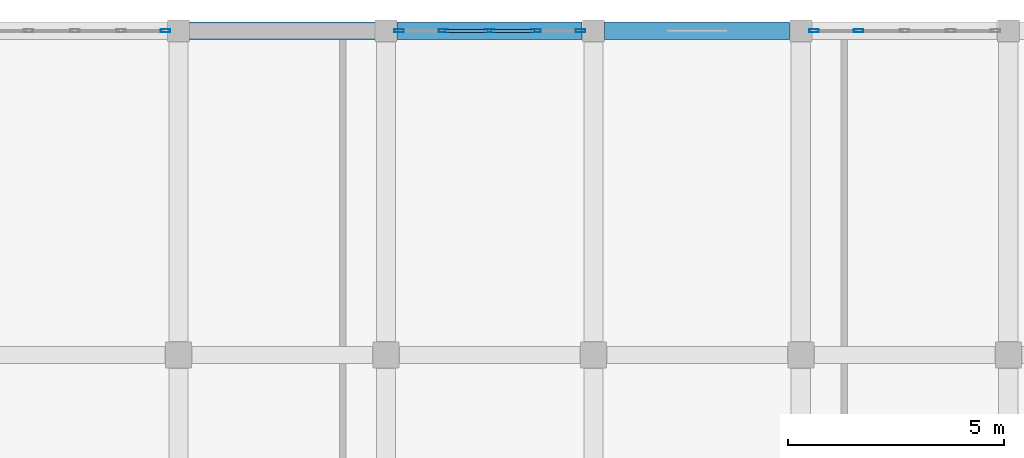
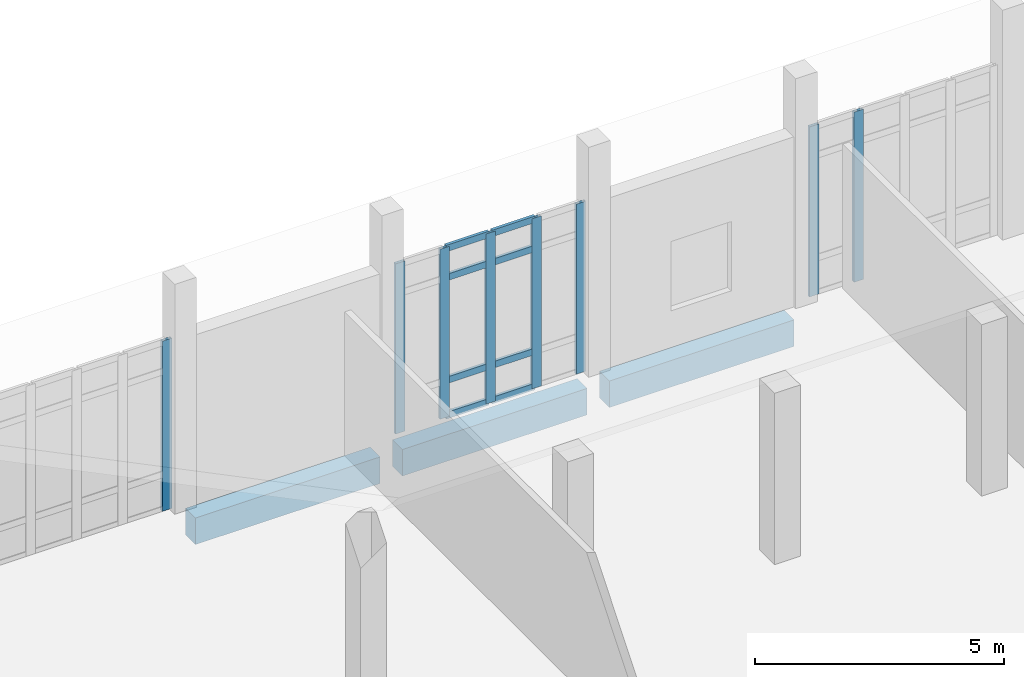
# One storey, part 100 of 164: 16 members, 3 beams, 3 elements without a shape of their own.
"""IFC4 building model written with IfcOpenShell, lengths in metres."""

from ifc_helpers import new_model, si_unit, direction, frame, origin, origin_2d, place, context, subcontext, project, spatial, rectangle, hollow_rectangle, extrude, material, layer, layer_set, material_profile, profile_set, type_object, element, aggregate, save


model = new_model("IFC4")

# Units and contexts
model_context = context("Model", 3, precision=1e-05, world=origin(), true_north=direction((0.0, 1.0)))
body_context = subcontext(model_context, "Body", "Model", "MODEL_VIEW")
ifc_project = project(units=[si_unit("LENGTHUNIT", "METRE"), si_unit("AREAUNIT", "SQUARE_METRE"), si_unit("VOLUMEUNIT", "CUBIC_METRE"), si_unit("PLANEANGLEUNIT", "RADIAN"), si_unit("MASSUNIT", "GRAM", prefix="KILO")], contexts=[model_context])

# Site, building, storey
site_placement = place(None, origin())
site = spatial("IfcSite", under=ifc_project, at=site_placement, CompositionType="ELEMENT")
building_placement = place(site_placement, origin())
building = spatial("IfcBuilding", under=site, at=building_placement, Name="Mawjan Specialist Oncology Clinic", CompositionType="ELEMENT")
storey_placement = place(building_placement, frame((0.0, 0.0, 5.0)))
storey = spatial("IfcBuildingStorey", under=building, at=storey_placement, Name="L01", CompositionType="ELEMENT", Elevation=5.0)

# Curtain wall, member
ifc_material_1 = material(Name="Unitised spectrally selective aluminium curtain wall", Category="aluminium")
ifc_layer = layer(ifc_material_1, 0.179931640625, Name="Unitised spectrally selective aluminium curtain wall", Category="aluminium")
ifc_layer_set = layer_set([ifc_layer], Name="Unitised spectrally selective aluminium curtain wall")
curtain_wall_type = type_object("IfcCurtainWallType", Name="CW-63", PredefinedType="NOTDEFINED", material=ifc_layer_set)
curtain_wall_1_placement = place(storey_placement, origin())
curtain_wall_1 = element("IfcCurtainWall", 1, at=curtain_wall_1_placement, inside=storey, type_object=curtain_wall_type, Name="L01 Unitised Curtain Wall CW-L01-119", PredefinedType="NOTDEFINED")
ifc_material_2 = material(Name="Thermally broken aluminium 6063-T6", Category="aluminium")
ifc_material_profile_1 = material_profile(ifc_material_2, hollow_rectangle(XDim=0.070068359375, YDim=0.219970703125, WallThickness=0.00390625, at=origin_2d()), Name="ALU MULLION 220x70x4", Category="aluminium")
ifc_profile_set_1 = profile_set([ifc_material_profile_1], Name="Thermally broken aluminium 6063-T6")
member_type_1 = type_object("IfcMemberType", Name="CW-M220", PredefinedType="MULLION", material=ifc_profile_set_1)
member_1_placement = place(storey_placement, frame((64.4951171875, 113.300048828125, 0.0), z_axis=(0.0, 0.0, 1.0), x_axis=(0.0, 1.0, 0.0)))
member_1 = element("IfcMember", 2, at=member_1_placement, type_object=member_type_1, Name="CW-63 mullion 5", PredefinedType="MULLION", context=body_context, shape_type="SweptSolid", body=[
    extrude(hollow_rectangle(XDim=0.070068359375, YDim=0.219970703125, WallThickness=0.00390625, at=origin_2d()), origin(), (0.0, 0.0, 1.0), 4.169921875),
])
aggregate(curtain_wall_1, [member_1])

# Curtain wall, members
curtain_wall_2_placement = place(storey_placement, origin())
curtain_wall_2 = element("IfcCurtainWall", 3, at=curtain_wall_2_placement, inside=storey, type_object=curtain_wall_type, Name="L01 Unitised Curtain Wall CW-L01-120", PredefinedType="NOTDEFINED")
member_2_placement = place(storey_placement, frame((69.905029296875, 113.300048828125, 0.0), z_axis=(0.0, 0.0, 1.0), x_axis=(0.0, 1.0, 0.0)))
member_2 = element("IfcMember", 4, at=member_2_placement, type_object=member_type_1, Name="CW-63 mullion 1", PredefinedType="MULLION", context=body_context, shape_type="SweptSolid", body=[
    extrude(hollow_rectangle(XDim=0.070068359375, YDim=0.219970703125, WallThickness=0.00390625, at=origin_2d()), origin(), (0.0, 0.0, 1.0), 4.169921875),
])
member_3_placement = place(storey_placement, frame((70.93505859375, 113.300048828125, 0.0), z_axis=(0.0, 0.0, 1.0), x_axis=(0.0, 1.0, 0.0)))
member_3 = element("IfcMember", 5, at=member_3_placement, type_object=member_type_1, Name="CW-63 mullion 2", PredefinedType="MULLION", context=body_context, shape_type="SweptSolid", body=[
    extrude(hollow_rectangle(XDim=0.070068359375, YDim=0.219970703125, WallThickness=0.00390625, at=origin_2d()), origin(), (0.0, 0.0, 1.0), 4.169921875),
])
member_4_placement = place(storey_placement, frame((72.0, 113.300048828125, 0.0), z_axis=(0.0, 0.0, 1.0), x_axis=(0.0, 1.0, 0.0)))
member_4 = element("IfcMember", 6, at=member_4_placement, type_object=member_type_1, Name="CW-63 mullion 3", PredefinedType="MULLION", context=body_context, shape_type="SweptSolid", body=[
    extrude(hollow_rectangle(XDim=0.070068359375, YDim=0.219970703125, WallThickness=0.00390625, at=origin_2d()), origin(), (0.0, 0.0, 1.0), 4.169921875),
])
member_5_placement = place(storey_placement, frame((73.06494140625, 113.300048828125, 0.0), z_axis=(0.0, 0.0, 1.0), x_axis=(0.0, 1.0, 0.0)))
member_5 = element("IfcMember", 7, at=member_5_placement, type_object=member_type_1, Name="CW-63 mullion 4", PredefinedType="MULLION", context=body_context, shape_type="SweptSolid", body=[
    extrude(hollow_rectangle(XDim=0.070068359375, YDim=0.219970703125, WallThickness=0.00390625, at=origin_2d()), origin(), (0.0, 0.0, 1.0), 4.169921875),
])
member_6_placement = place(storey_placement, frame((74.094970703125, 113.300048828125, 0.0), z_axis=(0.0, 0.0, 1.0), x_axis=(0.0, 1.0, 0.0)))
member_6 = element("IfcMember", 8, at=member_6_placement, type_object=member_type_1, Name="CW-63 mullion 5", PredefinedType="MULLION", context=body_context, shape_type="SweptSolid", body=[
    extrude(hollow_rectangle(XDim=0.070068359375, YDim=0.219970703125, WallThickness=0.00390625, at=origin_2d()), origin(), (0.0, 0.0, 1.0), 4.169921875),
])

curtain_wall_3_placement = place(storey_placement, origin())
curtain_wall_3 = element("IfcCurtainWall", 9, at=curtain_wall_3_placement, inside=storey, type_object=curtain_wall_type, Name="L01 Unitised Curtain Wall CW-L01-121", PredefinedType="NOTDEFINED")
member_7_placement = place(storey_placement, frame((79.5048828125, 113.300048828125, 0.0), z_axis=(0.0, 0.0, 1.0), x_axis=(0.0, 1.0, 0.0)))
member_7 = element("IfcMember", 10, at=member_7_placement, type_object=member_type_1, Name="CW-63 mullion 1", PredefinedType="MULLION", context=body_context, shape_type="SweptSolid", body=[
    extrude(hollow_rectangle(XDim=0.070068359375, YDim=0.219970703125, WallThickness=0.00390625, at=origin_2d()), origin(), (0.0, 0.0, 1.0), 4.169921875),
])
member_8_placement = place(storey_placement, frame((80.534912109375, 113.300048828125, 0.0), z_axis=(0.0, 0.0, 1.0), x_axis=(0.0, 1.0, 0.0)))
member_8 = element("IfcMember", 11, at=member_8_placement, type_object=member_type_1, Name="CW-63 mullion 2", PredefinedType="MULLION", context=body_context, shape_type="SweptSolid", body=[
    extrude(hollow_rectangle(XDim=0.070068359375, YDim=0.219970703125, WallThickness=0.00390625, at=origin_2d()), origin(), (0.0, 0.0, 1.0), 4.169921875),
])
aggregate(curtain_wall_3, [member_7, member_8])

# Member
ifc_material_3 = material(Name="Thermally broken aluminium 6063-T6", Category="aluminium")
ifc_material_profile_2 = material_profile(ifc_material_3, hollow_rectangle(XDim=0.070068359375, YDim=0.159912109375, WallThickness=0.00390625, at=origin_2d()), Name="ALU TRANSOM 160x70x4", Category="aluminium")
ifc_profile_set_2 = profile_set([ifc_material_profile_2], Name="Thermally broken aluminium 6063-T6")
member_type_2 = type_object("IfcMemberType", Name="CW-T160", PredefinedType="USERDEFINED", material=ifc_profile_set_2)
member_9_placement = place(storey_placement, frame((70.969970703125, 113.300048828125, 0.034912109375), z_axis=(1.0, 0.0, 0.0), x_axis=(0.0, 1.0, 0.0)))
member_9 = element("IfcMember", 12, at=member_9_placement, type_object=member_type_2, Name="CW-63 transom 2.1", ObjectType="TRANSOM", PredefinedType="USERDEFINED", context=body_context, shape_type="SweptSolid", body=[
    extrude(hollow_rectangle(XDim=0.070068359375, YDim=0.159912109375, WallThickness=0.00390625, at=origin_2d()), origin(), (0.0, 0.0, 1.0), 0.9951171875),
])

member_10_placement = place(storey_placement, frame((70.969970703125, 113.300048828125, 0.89990234375), z_axis=(1.0, 0.0, 0.0), x_axis=(0.0, 1.0, 0.0)))
member_10 = element("IfcMember", 13, at=member_10_placement, type_object=member_type_2, Name="CW-63 transom 2.2", ObjectType="TRANSOM", PredefinedType="USERDEFINED", context=body_context, shape_type="SweptSolid", body=[
    extrude(hollow_rectangle(XDim=0.070068359375, YDim=0.159912109375, WallThickness=0.00390625, at=origin_2d()), origin(), (0.0, 0.0, 1.0), 0.9951171875),
])

member_11_placement = place(storey_placement, frame((70.969970703125, 113.300048828125, 3.419921875), z_axis=(1.0, 0.0, 0.0), x_axis=(0.0, 1.0, 0.0)))
member_11 = element("IfcMember", 14, at=member_11_placement, type_object=member_type_2, Name="CW-63 transom 2.3", ObjectType="TRANSOM", PredefinedType="USERDEFINED", context=body_context, shape_type="SweptSolid", body=[
    extrude(hollow_rectangle(XDim=0.070068359375, YDim=0.159912109375, WallThickness=0.00390625, at=origin_2d()), origin(), (0.0, 0.0, 1.0), 0.9951171875),
])

member_12_placement = place(storey_placement, frame((70.969970703125, 113.300048828125, 4.135009765625), z_axis=(1.0, 0.0, 0.0), x_axis=(0.0, 1.0, 0.0)))
member_12 = element("IfcMember", 15, at=member_12_placement, type_object=member_type_2, Name="CW-63 transom 2.4", ObjectType="TRANSOM", PredefinedType="USERDEFINED", context=body_context, shape_type="SweptSolid", body=[
    extrude(hollow_rectangle(XDim=0.070068359375, YDim=0.159912109375, WallThickness=0.00390625, at=origin_2d()), origin(), (0.0, 0.0, 1.0), 0.9951171875),
])

member_13_placement = place(storey_placement, frame((72.034912109375, 113.300048828125, 0.034912109375), z_axis=(1.0, 0.0, 0.0), x_axis=(0.0, 1.0, 0.0)))
member_13 = element("IfcMember", 16, at=member_13_placement, type_object=member_type_2, Name="CW-63 transom 3.1", ObjectType="TRANSOM", PredefinedType="USERDEFINED", context=body_context, shape_type="SweptSolid", body=[
    extrude(hollow_rectangle(XDim=0.070068359375, YDim=0.159912109375, WallThickness=0.00390625, at=origin_2d()), origin(), (0.0, 0.0, 1.0), 0.9951171875),
])

member_14_placement = place(storey_placement, frame((72.034912109375, 113.300048828125, 0.89990234375), z_axis=(1.0, 0.0, 0.0), x_axis=(0.0, 1.0, 0.0)))
member_14 = element("IfcMember", 17, at=member_14_placement, type_object=member_type_2, Name="CW-63 transom 3.2", ObjectType="TRANSOM", PredefinedType="USERDEFINED", context=body_context, shape_type="SweptSolid", body=[
    extrude(hollow_rectangle(XDim=0.070068359375, YDim=0.159912109375, WallThickness=0.00390625, at=origin_2d()), origin(), (0.0, 0.0, 1.0), 0.9951171875),
])

member_15_placement = place(storey_placement, frame((72.034912109375, 113.300048828125, 3.419921875), z_axis=(1.0, 0.0, 0.0), x_axis=(0.0, 1.0, 0.0)))
member_15 = element("IfcMember", 18, at=member_15_placement, type_object=member_type_2, Name="CW-63 transom 3.3", ObjectType="TRANSOM", PredefinedType="USERDEFINED", context=body_context, shape_type="SweptSolid", body=[
    extrude(hollow_rectangle(XDim=0.070068359375, YDim=0.159912109375, WallThickness=0.00390625, at=origin_2d()), origin(), (0.0, 0.0, 1.0), 0.9951171875),
])

member_16_placement = place(storey_placement, frame((72.034912109375, 113.300048828125, 4.135009765625), z_axis=(1.0, 0.0, 0.0), x_axis=(0.0, 1.0, 0.0)))
member_16 = element("IfcMember", 19, at=member_16_placement, type_object=member_type_2, Name="CW-63 transom 3.4", ObjectType="TRANSOM", PredefinedType="USERDEFINED", context=body_context, shape_type="SweptSolid", body=[
    extrude(hollow_rectangle(XDim=0.070068359375, YDim=0.159912109375, WallThickness=0.00390625, at=origin_2d()), origin(), (0.0, 0.0, 1.0), 0.9951171875),
])

aggregate(curtain_wall_2, [member_2, member_3, member_4, member_5, member_6, member_9, member_10, member_11, member_12, member_13, member_14, member_15, member_16])

# Beams
ifc_material_4 = material(Name="Concrete C45/55", Category="concrete")
ifc_material_profile_3 = material_profile(ifc_material_4, rectangle(XDim=0.39990234375, YDim=0.64990234375, at=origin_2d()), Name="RC BM 400x650", Category="concrete")
ifc_profile_set_3 = profile_set([ifc_material_profile_3], Name="Concrete C45/55")
beam_type = type_object("IfcBeamType", Name="SP-400x650", PredefinedType="SPANDREL", material=ifc_profile_set_3)
beam_1_placement = place(storey_placement, frame((65.06005859375, 113.300048828125, -0.625), z_axis=(1.0, 0.0, 0.0), x_axis=(0.0, 1.0, 0.0)))
element("IfcBeam", 20, at=beam_1_placement, inside=storey, type_object=beam_type, Name="L01 Spandrel Beam BM-L01-0410", PredefinedType="SPANDREL", context=body_context, shape_type="SweptSolid", body=[
    extrude(rectangle(XDim=0.39990234375, YDim=0.64990234375, at=origin_2d()), origin(), (0.0, 0.0, 1.0), 4.280029296875),
])
beam_2_placement = place(storey_placement, frame((69.860107421875, 113.300048828125, -0.625), z_axis=(1.0, 0.0, 0.0), x_axis=(0.0, 1.0, 0.0)))
element("IfcBeam", 21, at=beam_2_placement, inside=storey, type_object=beam_type, Name="L01 Spandrel Beam BM-L01-0411", PredefinedType="SPANDREL", context=body_context, shape_type="SweptSolid", body=[
    extrude(rectangle(XDim=0.39990234375, YDim=0.64990234375, at=origin_2d()), origin(), (0.0, 0.0, 1.0), 4.27978515625),
])
beam_3_placement = place(storey_placement, frame((74.659912109375, 113.300048828125, -0.625), z_axis=(1.0, 0.0, 0.0), x_axis=(0.0, 1.0, 0.0)))
element("IfcBeam", 22, at=beam_3_placement, inside=storey, type_object=beam_type, Name="L01 Spandrel Beam BM-L01-0412", PredefinedType="SPANDREL", context=body_context, shape_type="SweptSolid", body=[
    extrude(rectangle(XDim=0.39990234375, YDim=0.64990234375, at=origin_2d()), origin(), (0.0, 0.0, 1.0), 4.280029296875),
])

save(model, "model.ifc")
